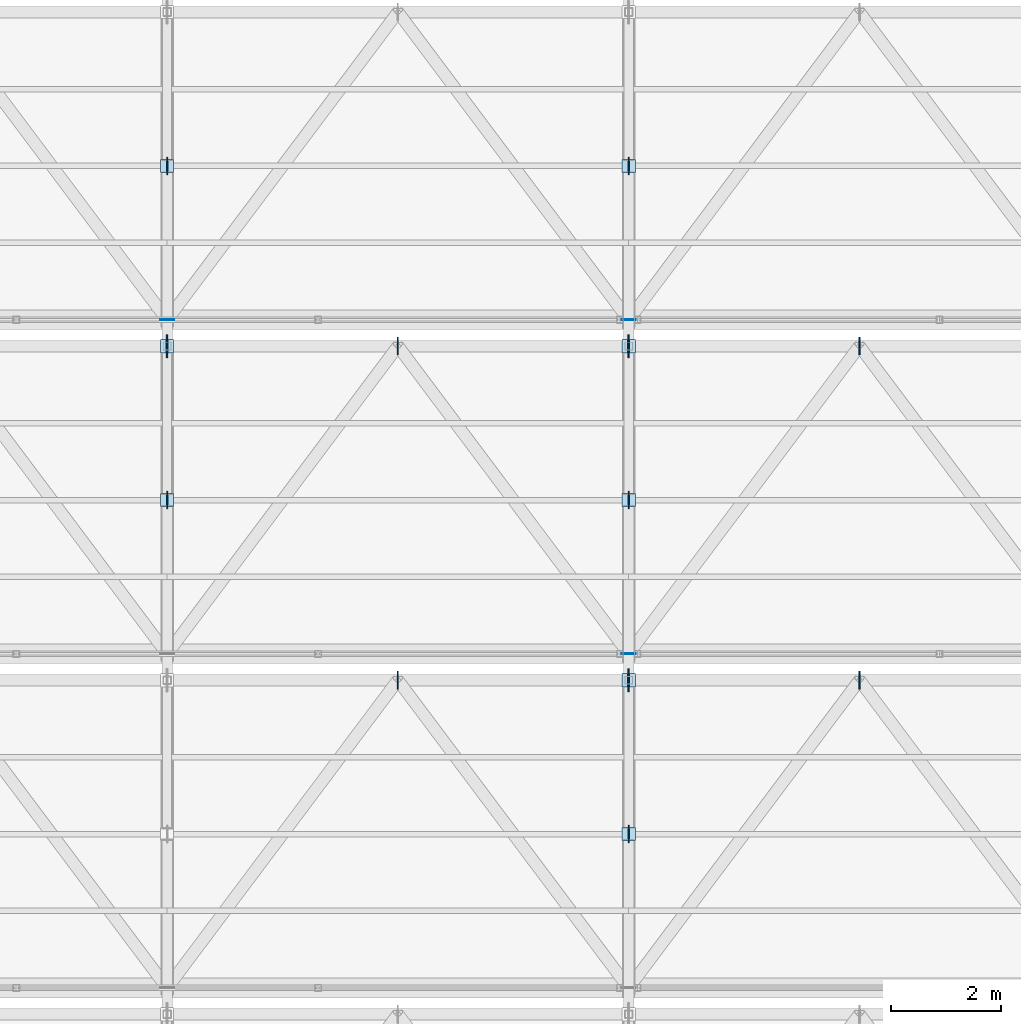
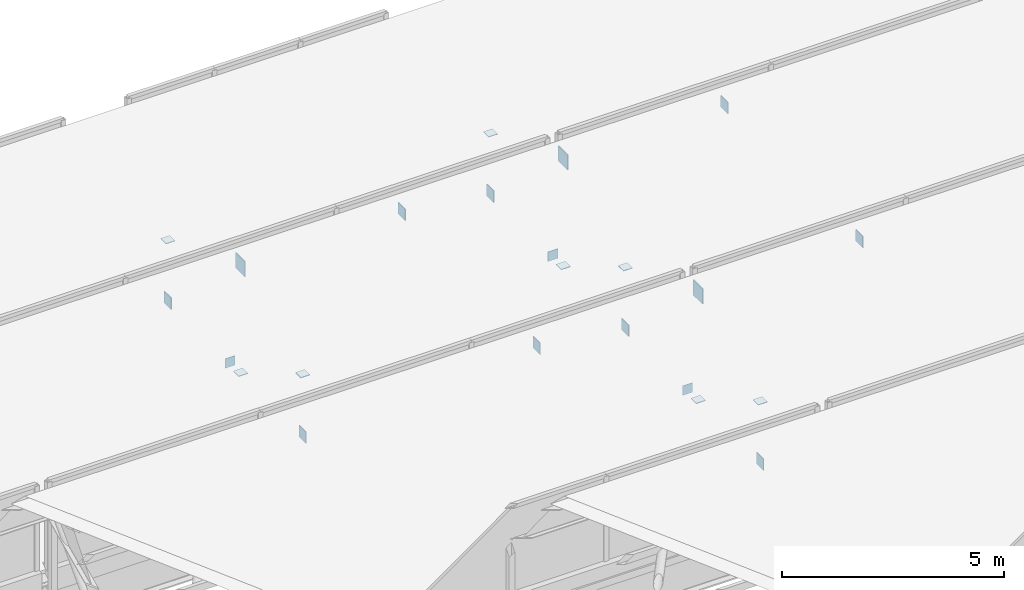
# One storey, part 185 of 217: 23 plates.
"""IFC4 building model written with IfcOpenShell, lengths in metres."""

from ifc_helpers import new_model, si_unit, direction, frame, origin, origin_2d, place, context, subcontext, project, spatial, rectangle, extrude, material, layer, layer_set, type_object, element, save


model = new_model("IFC4")

# Units and contexts
model_context = context("Model", 3, precision=1e-05, world=origin(), true_north=direction((0.0, 1.0)))
body_context = subcontext(model_context, "Body", "Model", "MODEL_VIEW")
ifc_project = project(units=[si_unit("LENGTHUNIT", "METRE"), si_unit("AREAUNIT", "SQUARE_METRE"), si_unit("VOLUMEUNIT", "CUBIC_METRE"), si_unit("PLANEANGLEUNIT", "RADIAN"), si_unit("MASSUNIT", "GRAM", prefix="KILO")], contexts=[model_context])

# Site, building, storey
site_placement = place(None, origin())
site = spatial("IfcSite", under=ifc_project, at=site_placement, CompositionType="ELEMENT")
building_placement = place(site_placement, origin())
building = spatial("IfcBuilding", under=site, at=building_placement, Name="Zuvorla Pavilion Media Centre", CompositionType="ELEMENT")
storey_placement = place(building_placement, frame((0.0, 0.0, 9.60009765625)))
storey = spatial("IfcBuildingStorey", under=building, at=storey_placement, Name="L02", CompositionType="ELEMENT", Elevation=9.60009765625)

# Plates
ifc_material = material(Name="Steel S355", Category="steel")
ifc_layer_1 = layer(ifc_material, 0.01611328125)
ifc_layer_set_1 = layer_set([ifc_layer_1], Name="Steel S355")
plate_type_1 = type_object("IfcPlateType", Name="PLT-CAP-16", PredefinedType="USERDEFINED", material=ifc_layer_set_1)
for number, where, z_axis, x_axis, name in (
    (1, (100.39990234375, 107.840087890625, -1.01025390625), (0.0, 0.0, 1.0), (1.0, 0.0, 0.0), "L02 cap plate CP16 64"),
    (2, (92.0, 113.919921875, -1.01025390625), (0.0, 0.0, 1.0), (1.0, 0.0, 0.0), "L02 cap plate CP16 80"),
    (3, (100.39990234375, 113.919921875, -1.01025390625), (0.0, 0.0, 1.0), (1.0, 0.0, 0.0), "L02 cap plate CP16 82"),
):
    element("IfcPlate", number, at=place(storey_placement, frame(where, z_axis=z_axis, x_axis=x_axis)), inside=storey, type_object=plate_type_1, Name=name, ObjectType="CAP_PLATE", PredefinedType="USERDEFINED", context=body_context, shape_type="SweptSolid", body=[
        extrude(rectangle(XDim=0.260009765625, YDim=0.01611328125, at=origin_2d()), origin(), (0.0, 0.0, 1.0), 0.260009765625),
    ])
for number, where, z_axis, x_axis, name in (
    (4, (100.39990234375, 107.360107421875, -0.88818359375), (0.0, 0.0, 1.0), (1.0, 0.0, 0.0), "L02 cap plate CP16 299"),
    (5, (100.39990234375, 104.56005859375, 0.771728515625), (0.0, 0.0, 1.0), (1.0, 0.0, 0.0), "L02 cap plate CP16 301"),
    (6, (92.0, 113.43994140625, -0.88818359375), (0.0, 0.0, 1.0), (1.0, 0.0, 0.0), "L02 cap plate CP16 331"),
    (7, (92.0, 110.639892578125, 0.771728515625), (0.0, 0.0, 1.0), (1.0, 0.0, 0.0), "L02 cap plate CP16 333"),
    (8, (100.39990234375, 113.43994140625, -0.88818359375), (0.0, 0.0, 1.0), (1.0, 0.0, 0.0), "L02 cap plate CP16 334"),
    (9, (100.39990234375, 110.639892578125, 0.771728515625), (0.0, 0.0, 1.0), (1.0, 0.0, 0.0), "L02 cap plate CP16 336"),
    (10, (92.0, 116.719970703125, 0.771728515625), (0.0, 0.0, 1.0), (1.0, 0.0, 0.0), "L02 cap plate CP16 368"),
    (11, (100.39990234375, 116.719970703125, 0.771728515625), (0.0, 0.0, 1.0), (1.0, 0.0, 0.0), "L02 cap plate CP16 371"),
):
    element("IfcPlate", number, at=place(storey_placement, frame(where, z_axis=z_axis, x_axis=x_axis)), inside=storey, type_object=plate_type_1, Name=name, ObjectType="CAP_PLATE", PredefinedType="USERDEFINED", context=body_context, shape_type="SweptSolid", body=[
        extrude(rectangle(XDim=0.239990234375, YDim=0.239990234375, at=origin_2d()), origin(), (0.0, 0.0, 1.0), 0.01611328125),
    ])
ifc_layer_2 = layer(ifc_material, 0.02001953125)
ifc_layer_set_2 = layer_set([ifc_layer_2], Name="Steel S355")
plate_type_2 = type_object("IfcPlateType", Name="PLT-GUS-20", PredefinedType="USERDEFINED", material=ifc_layer_set_2)
for number, where, z_axis, x_axis, name in (
    (12, (100.39990234375, 104.56005859375, -1.0400390625), (0.0, 0.0, 1.0), (1.0, 0.0, 0.0), "L02 gusset plate GP20 300"),
    (13, (96.199951171875, 107.360107421875, 1.919921875), (0.0, 0.0, 1.0), (1.0, 0.0, 0.0), "L02 gusset plate GP20 317"),
    (14, (104.60009765625, 107.360107421875, 1.919921875), (0.0, 0.0, 1.0), (1.0, 0.0, 0.0), "L02 gusset plate GP20 318"),
    (15, (92.0, 110.639892578125, -1.0400390625), (0.0, 0.0, 1.0), (1.0, 0.0, 0.0), "L02 gusset plate GP20 332"),
    (16, (100.39990234375, 110.639892578125, -1.0400390625), (0.0, 0.0, 1.0), (1.0, 0.0, 0.0), "L02 gusset plate GP20 335"),
    (17, (96.199951171875, 113.43994140625, 1.919921875), (0.0, 0.0, 1.0), (1.0, 0.0, 0.0), "L02 gusset plate GP20 352"),
    (18, (104.60009765625, 113.43994140625, 1.919921875), (0.0, 0.0, 1.0), (1.0, 0.0, 0.0), "L02 gusset plate GP20 353"),
    (19, (92.0, 116.719970703125, -1.0400390625), (0.0, 0.0, 1.0), (1.0, 0.0, 0.0), "L02 gusset plate GP20 367"),
    (20, (100.39990234375, 116.719970703125, -1.0400390625), (0.0, 0.0, 1.0), (1.0, 0.0, 0.0), "L02 gusset plate GP20 370"),
):
    element("IfcPlate", number, at=place(storey_placement, frame(where, z_axis=z_axis, x_axis=x_axis)), inside=storey, type_object=plate_type_2, Name=name, ObjectType="GUSSET_PLATE", PredefinedType="USERDEFINED", context=body_context, shape_type="SweptSolid", body=[
        extrude(rectangle(XDim=0.02001953125, YDim=0.320068359375, at=origin_2d()), origin(), (0.0, 0.0, 1.0), 0.320068359375),
    ])
ifc_layer_3 = layer(ifc_material, 0.02490234375)
ifc_layer_set_3 = layer_set([ifc_layer_3], Name="Steel S355")
plate_type_3 = type_object("IfcPlateType", Name="PLT-GUS-25", PredefinedType="USERDEFINED", material=ifc_layer_set_3)
for number, where, z_axis, x_axis, name in (
    (21, (100.39990234375, 107.360107421875, 1.87353515625), (0.0, 0.0, 1.0), (1.0, 0.0, 0.0), "L02 gusset plate GP25 45"),
    (22, (92.0, 113.43994140625, 1.87353515625), (0.0, 0.0, 1.0), (1.0, 0.0, 0.0), "L02 gusset plate GP25 61"),
    (23, (100.39990234375, 113.43994140625, 1.87353515625), (0.0, 0.0, 1.0), (1.0, 0.0, 0.0), "L02 gusset plate GP25 63"),
):
    element("IfcPlate", number, at=place(storey_placement, frame(where, z_axis=z_axis, x_axis=x_axis)), inside=storey, type_object=plate_type_3, Name=name, ObjectType="GUSSET_PLATE", PredefinedType="USERDEFINED", context=body_context, shape_type="SweptSolid", body=[
        extrude(rectangle(XDim=0.02490234375, YDim=0.419921875, at=origin_2d()), origin(), (0.0, 0.0, 1.0), 0.419921875),
    ])

save(model, "model.ifc")
